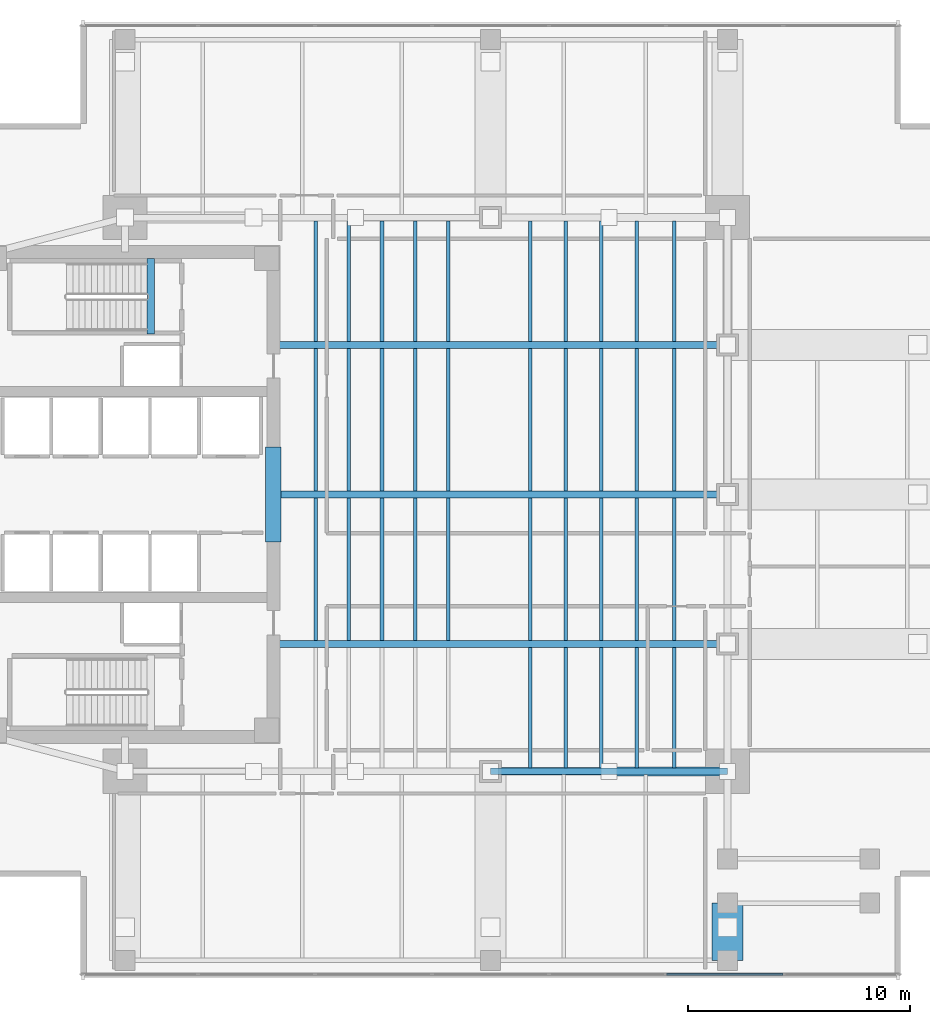
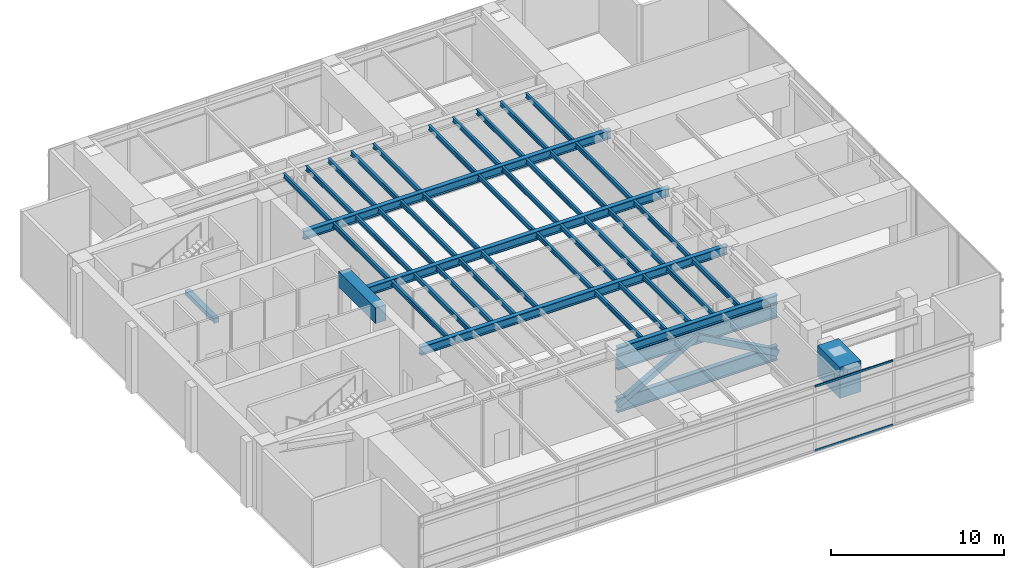
# One storey, part 3 of 14: 42 beams, 6 members, 1 element without a shape of its own.
"""IFC4 building model written with IfcOpenShell, lengths in metres."""

from ifc_helpers import new_model, si_unit, direction, frame, origin, origin_2d, place, context, subcontext, project, spatial, rectangle, hollow_rectangle, i_section, extrude, material, layer, layer_set, material_profile, profile_set, type_object, element, aggregate, save


model = new_model("IFC4")

# Units and contexts
model_context = context("Model", 3, precision=1e-05, world=origin(), true_north=direction((0.0, 1.0)))
body_context = subcontext(model_context, "Body", "Model", "MODEL_VIEW")
ifc_project = project(units=[si_unit("LENGTHUNIT", "METRE"), si_unit("AREAUNIT", "SQUARE_METRE"), si_unit("VOLUMEUNIT", "CUBIC_METRE"), si_unit("PLANEANGLEUNIT", "RADIAN"), si_unit("MASSUNIT", "GRAM", prefix="KILO")], contexts=[model_context])

# Site, building, storey
site_placement = place(None, origin())
site = spatial("IfcSite", under=ifc_project, at=site_placement, CompositionType="ELEMENT")
building_placement = place(site_placement, origin())
building = spatial("IfcBuilding", under=site, at=building_placement, Name="Kinhvarn Gate Tower", CompositionType="ELEMENT")
storey_placement = place(building_placement, frame((0.0, 0.0, 173.25)))
storey = spatial("IfcBuildingStorey", under=building, at=storey_placement, Name="L46", CompositionType="ELEMENT", Elevation=173.25)

# Beams
ifc_material_1 = material(Name="Concrete C70/85", Category="concrete")
ifc_material_profile_1 = material_profile(ifc_material_1, rectangle(XDim=0.699951171875, YDim=1.10009765625, at=origin_2d()), Name="RC 700x1100")
ifc_profile_set_1 = profile_set([ifc_material_profile_1], Name="Concrete C70/85")
beam_type_1 = type_object("IfcBeamType", Name="BM-CB-1100", PredefinedType="LINTEL", material=ifc_profile_set_1)
beam_1_placement = place(storey_placement, frame((17.699951171875, 23.10009765625, 4.050048828125), z_axis=(0.0, 1.0, 0.0), x_axis=(-1.0, 0.0, 0.0)))
element("IfcBeam", 1, at=beam_1_placement, inside=storey, type_object=beam_type_1, Name="Core East Portal Coupling Beam L46", PredefinedType="LINTEL", context=body_context, shape_type="SweptSolid", body=[
    extrude(rectangle(XDim=0.699951171875, YDim=1.10009765625, at=origin_2d()), origin(), (0.0, 0.0, 1.0), 4.2998046875),
])
ifc_material_2 = material(Name="Concrete C50/60", Category="concrete")
ifc_material_profile_2 = material_profile(ifc_material_2, rectangle(XDim=0.340087890625, YDim=0.320068359375, at=origin_2d()), Name="RC 340x320")
ifc_profile_set_2 = profile_set([ifc_material_profile_2], Name="Concrete C50/60")
beam_type_2 = type_object("IfcBeamType", Name="BM-LND-500", PredefinedType="BEAM", material=ifc_profile_set_2)
beam_2_placement = place(storey_placement, frame((12.1650390625, 32.5, -0.159912109375), z_axis=(0.0, 1.0, 0.0), x_axis=(-1.0, 0.0, 0.0)))
element("IfcBeam", 2, at=beam_2_placement, inside=storey, type_object=beam_type_2, Name="Stair ST2 Landing Nosing Beam (L46)", PredefinedType="BEAM", context=body_context, shape_type="SweptSolid", body=[
    extrude(rectangle(XDim=0.340087890625, YDim=0.320068359375, at=origin_2d()), origin(), (0.0, 0.0, 1.0), 3.39990234375),
])
ifc_material_3 = material(Name="Concrete C60/75", Category="concrete")
ifc_material_profile_3 = material_profile(ifc_material_3, rectangle(XDim=1.39990234375, YDim=2.199951171875, at=origin_2d()), Name="RC 1400x2200")
ifc_profile_set_3 = profile_set([ifc_material_profile_3], Name="Concrete C60/75")
beam_type_3 = type_object("IfcBeamType", Name="BM-TG-2200", PredefinedType="BEAM", material=ifc_profile_set_3)
beam_3_placement = place(storey_placement, frame((38.199951171875, 4.219970703125, 3.699951171875), z_axis=(0.0, 1.0, 0.0), x_axis=(-1.0, 0.0, 0.0)))
element("IfcBeam", 3, at=beam_3_placement, inside=storey, type_object=beam_type_3, Name="Setback Transfer Girder TG-02-L47-CS-2", PredefinedType="BEAM", context=body_context, shape_type="SweptSolid", body=[
    extrude(rectangle(XDim=1.39990234375, YDim=2.199951171875, at=origin_2d()), origin(), (0.0, 0.0, 1.0), 2.580078125),
])

# Curtain wall, members
ifc_material_4 = material(Name="Anodised aluminium AW-6063", Category="aluminium")
ifc_layer = layer(ifc_material_4, 0.179931640625)
ifc_layer_set = layer_set([ifc_layer], Name="Anodised aluminium AW-6063")
curtain_wall_type = type_object("IfcCurtainWallType", Name="CW-SYS-3", PredefinedType="NOTDEFINED", material=ifc_layer_set)
curtain_wall_placement = place(storey_placement, origin())
curtain_wall = element("IfcCurtainWall", 4, at=curtain_wall_placement, inside=storey, type_object=curtain_wall_type, Name="Curtain Wall CW3 (L46)", PredefinedType="NOTDEFINED")
ifc_material_profile_4 = material_profile(ifc_material_4, rectangle(XDim=0.070068359375, YDim=0.139892578125, at=origin_2d()), Name="ALU 70x140")
ifc_profile_set_4 = profile_set([ifc_material_profile_4], Name="Anodised aluminium AW-6063")
member_type_1 = type_object("IfcMemberType", Name="CW-TRN-140", PredefinedType="USERDEFINED", material=ifc_profile_set_4)
member_1_placement = place(storey_placement, frame((35.461181640625, 3.590087890625, 0.034912109375), z_axis=(1.0, 0.0, 0.0), x_axis=(0.0, 1.0, 0.0)))
member_1 = element("IfcMember", 5, at=member_1_placement, type_object=member_type_1, Name="CW3 transom 6.1", ObjectType="TRANSOM", PredefinedType="USERDEFINED", context=body_context, shape_type="SweptSolid", body=[
    extrude(rectangle(XDim=0.070068359375, YDim=0.139892578125, at=origin_2d()), origin(), (0.0, 0.0, 1.0), 5.220703125),
])
member_2_placement = place(storey_placement, frame((35.461181640625, 3.590087890625, 4.56494140625), z_axis=(1.0, 0.0, 0.0), x_axis=(0.0, 1.0, 0.0)))
member_2 = element("IfcMember", 6, at=member_2_placement, type_object=member_type_1, Name="CW3 transom 6.2", ObjectType="TRANSOM", PredefinedType="USERDEFINED", context=body_context, shape_type="SweptSolid", body=[
    extrude(rectangle(XDim=0.070068359375, YDim=0.139892578125, at=origin_2d()), origin(), (0.0, 0.0, 1.0), 5.220703125),
])
aggregate(curtain_wall, [member_1, member_2])

# Members
ifc_material_5 = material(Name="Steel S355", Category="steel")
ifc_material_profile_5 = material_profile(ifc_material_5, hollow_rectangle(XDim=0.35009765625, YDim=0.35009765625, WallThickness=0.01611328125, at=origin_2d()), Name="SHS 350x350x16")
ifc_profile_set_5 = profile_set([ifc_material_profile_5], Name="Steel S355")
member_type_2 = type_object("IfcMemberType", Name="MBR-SHS350x350x16", PredefinedType="BRACE", material=ifc_profile_set_5)
member_3_placement = place(storey_placement, frame((27.5, 12.75, 0.5), z_axis=(0.872231672877, 0.0, 0.489092944981), x_axis=(0.0, 1.0, 0.0)))
element("IfcMember", 7, at=member_3_placement, inside=storey, type_object=member_type_2, Name="Outrigger Truss Diagonal BR-08 (SHS 350x350x16)", PredefinedType="BRACE", context=body_context, shape_type="SweptSolid", body=[
    extrude(hollow_rectangle(XDim=0.35009765625, YDim=0.35009765625, WallThickness=0.01611328125, at=origin_2d()), origin(), (0.0, 0.0, 1.0), 6.1337890625),
])
ifc_material_profile_6 = material_profile(ifc_material_5, hollow_rectangle(XDim=0.39990234375, YDim=0.39990234375, WallThickness=0.02001953125, at=origin_2d()), Name="SHS 400x400x20")
ifc_profile_set_6 = profile_set([ifc_material_profile_6], Name="Steel S355")
member_type_3 = type_object("IfcMemberType", Name="MBR-SHS400x400x20", PredefinedType="BRACE", material=ifc_profile_set_6)
member_4_placement = place(storey_placement, frame((32.85009765625, 12.75, 3.5), z_axis=(0.872222151153, 0.0, -0.489109925312), x_axis=(0.0, 1.0, 0.0)))
element("IfcMember", 8, at=member_4_placement, inside=storey, type_object=member_type_3, Name="Outrigger Truss Diagonal BR-09 (SHS 400x400x20)", PredefinedType="BRACE", context=body_context, shape_type="SweptSolid", body=[
    extrude(hollow_rectangle(XDim=0.39990234375, YDim=0.39990234375, WallThickness=0.02001953125, at=origin_2d()), origin(), (0.0, 0.0, 1.0), 6.133544921875),
])
ifc_material_profile_7 = material_profile(ifc_material_5, i_section(OverallWidth=0.300048828125, OverallDepth=1.0, WebThickness=0.01904296875, FlangeThickness=0.035888671875, at=origin_2d()), Name="HEB 1000")
ifc_profile_set_7 = profile_set([ifc_material_profile_7], Name="Steel S355")
member_type_4 = type_object("IfcMemberType", Name="STL-HEB1000", PredefinedType="CHORD", material=ifc_profile_set_7)
for number, where, z_axis, x_axis, name in (
    (9, (27.5, 12.75, 0.5), (1.0, 0.0, 0.0), (0.0, 1.0, 0.0), "Outrigger Belt Chord BC-21 (L46 OUT-S2-BOT)"),
    (10, (27.5, 12.75, 3.5), (1.0, 0.0, 0.0), (0.0, 1.0, 0.0), "Outrigger Belt Chord BC-21 (L46 OUT-S2-TOP)"),
):
    element("IfcMember", number, at=place(storey_placement, frame(where, z_axis=z_axis, x_axis=x_axis)), inside=storey, type_object=member_type_4, Name=name, PredefinedType="CHORD", context=body_context, shape_type="SweptSolid", body=[
        extrude(i_section(OverallWidth=0.300048828125, OverallDepth=1.0, WebThickness=0.01904296875, FlangeThickness=0.035888671875, at=origin_2d()), origin(), (0.0, 0.0, 1.0), 10.699951171875),
    ])

# Beams
ifc_material_profile_8 = material_profile(ifc_material_5, i_section(OverallWidth=0.300048828125, OverallDepth=0.60009765625, WebThickness=0.015380859375, FlangeThickness=0.030029296875, at=origin_2d()), Name="HEB 600")
ifc_profile_set_8 = profile_set([ifc_material_profile_8], Name="Steel S355")
beam_type_4 = type_object("IfcBeamType", Name="STL-HEB600", PredefinedType="BEAM", material=ifc_profile_set_8)
beam_4_placement = place(storey_placement, frame((27.5, 12.75, 4.300048828125), z_axis=(1.0, 0.0, 0.0), x_axis=(0.0, 1.0, 0.0)))
element("IfcBeam", 11, at=beam_4_placement, inside=storey, type_object=beam_type_4, Name="Floor Beam PG-16 (L46 MG-S2)", PredefinedType="BEAM", context=body_context, shape_type="SweptSolid", body=[
    extrude(i_section(OverallWidth=0.300048828125, OverallDepth=0.60009765625, WebThickness=0.015380859375, FlangeThickness=0.030029296875, at=origin_2d()), origin(), (0.0, 0.0, 1.0), 10.699951171875),
])
beam_5_placement = place(storey_placement, frame((17.64990234375, 18.5, 4.300048828125), z_axis=(1.0, 0.0, 0.0), x_axis=(0.0, 1.0, 0.0)))
element("IfcBeam", 12, at=beam_5_placement, inside=storey, type_object=beam_type_4, Name="Floor Beam PG-16 (L46 EW1-Y18)", PredefinedType="BEAM", context=body_context, shape_type="SweptSolid", body=[
    extrude(i_section(OverallWidth=0.300048828125, OverallDepth=0.60009765625, WebThickness=0.015380859375, FlangeThickness=0.030029296875, at=origin_2d()), origin(), (0.0, 0.0, 1.0), 20.550048828125),
])
beam_6_placement = place(storey_placement, frame((18.050048828125, 25.25, 4.300048828125), z_axis=(1.0, 0.0, 0.0), x_axis=(0.0, 1.0, 0.0)))
element("IfcBeam", 13, at=beam_6_placement, inside=storey, type_object=beam_type_4, Name="Floor Beam PG-16 (L46 EW1-Y25)", PredefinedType="BEAM", context=body_context, shape_type="SweptSolid", body=[
    extrude(i_section(OverallWidth=0.300048828125, OverallDepth=0.60009765625, WebThickness=0.015380859375, FlangeThickness=0.030029296875, at=origin_2d()), origin(), (0.0, 0.0, 1.0), 20.14990234375),
])
beam_7_placement = place(storey_placement, frame((17.64990234375, 32.0, 4.300048828125), z_axis=(1.0, 0.0, 0.0), x_axis=(0.0, 1.0, 0.0)))
element("IfcBeam", 14, at=beam_7_placement, inside=storey, type_object=beam_type_4, Name="Floor Beam PG-16 (L46 EW1-Y32)", PredefinedType="BEAM", context=body_context, shape_type="SweptSolid", body=[
    extrude(i_section(OverallWidth=0.300048828125, OverallDepth=0.60009765625, WebThickness=0.015380859375, FlangeThickness=0.030029296875, at=origin_2d()), origin(), (0.0, 0.0, 1.0), 20.550048828125),
])
ifc_material_profile_9 = material_profile(ifc_material_5, i_section(OverallWidth=0.159912109375, OverallDepth=0.330078125, WebThickness=0.007568359375, FlangeThickness=0.011474609375, at=origin_2d()), Name="IPE 330")
ifc_profile_set_9 = profile_set([ifc_material_profile_9], Name="Steel S355")
beam_type_5 = type_object("IfcBeamType", Name="STL-IPE330", PredefinedType="JOIST", material=ifc_profile_set_9)
for number, where, z_axis, x_axis, name in (
    (15, (19.60009765625, 18.64990234375, 4.43505859375), (0.0, 1.0, 0.0), (-1.0, 0.0, 0.0), "Floor Joist SB-03 (L46 JC-X196-1)"),
    (16, (19.60009765625, 25.39990234375, 4.43505859375), (0.0, 1.0, 0.0), (-1.0, 0.0, 0.0), "Floor Joist SB-03 (L46 JC-X196-2)"),
):
    element("IfcBeam", number, at=place(storey_placement, frame(where, z_axis=z_axis, x_axis=x_axis)), inside=storey, type_object=beam_type_5, Name=name, PredefinedType="JOIST", context=body_context, shape_type="SweptSolid", body=[
        extrude(i_section(OverallWidth=0.159912109375, OverallDepth=0.330078125, WebThickness=0.007568359375, FlangeThickness=0.011474609375, at=origin_2d()), origin(), (0.0, 0.0, 1.0), 6.4501953125),
    ])
beam_8_placement = place(storey_placement, frame((19.60009765625, 32.14990234375, 4.43505859375), z_axis=(0.0, 1.0, 0.0), x_axis=(-1.0, 0.0, 0.0)))
element("IfcBeam", 17, at=beam_8_placement, inside=storey, type_object=beam_type_5, Name="Floor Joist SB-03 (L46 JC-X196-3)", PredefinedType="JOIST", context=body_context, shape_type="SweptSolid", body=[
    extrude(i_section(OverallWidth=0.159912109375, OverallDepth=0.330078125, WebThickness=0.007568359375, FlangeThickness=0.011474609375, at=origin_2d()), origin(), (0.0, 0.0, 1.0), 5.4501953125),
])
for number, where, z_axis, x_axis, name in (
    (18, (21.10009765625, 18.64990234375, 4.43505859375), (0.0, 1.0, 0.0), (-1.0, 0.0, 0.0), "Floor Joist SB-03 (L46 JC-X211-1)"),
    (19, (21.10009765625, 25.39990234375, 4.43505859375), (0.0, 1.0, 0.0), (-1.0, 0.0, 0.0), "Floor Joist SB-03 (L46 JC-X211-2)"),
):
    element("IfcBeam", number, at=place(storey_placement, frame(where, z_axis=z_axis, x_axis=x_axis)), inside=storey, type_object=beam_type_5, Name=name, PredefinedType="JOIST", context=body_context, shape_type="SweptSolid", body=[
        extrude(i_section(OverallWidth=0.159912109375, OverallDepth=0.330078125, WebThickness=0.007568359375, FlangeThickness=0.011474609375, at=origin_2d()), origin(), (0.0, 0.0, 1.0), 6.4501953125),
    ])
beam_9_placement = place(storey_placement, frame((21.10009765625, 32.14990234375, 4.43505859375), z_axis=(0.0, 1.0, 0.0), x_axis=(-1.0, 0.0, 0.0)))
element("IfcBeam", 20, at=beam_9_placement, inside=storey, type_object=beam_type_5, Name="Floor Joist SB-03 (L46 JC-X211-3)", PredefinedType="JOIST", context=body_context, shape_type="SweptSolid", body=[
    extrude(i_section(OverallWidth=0.159912109375, OverallDepth=0.330078125, WebThickness=0.007568359375, FlangeThickness=0.011474609375, at=origin_2d()), origin(), (0.0, 0.0, 1.0), 5.4501953125),
])
for number, where, z_axis, x_axis, name in (
    (21, (22.60009765625, 18.64990234375, 4.43505859375), (0.0, 1.0, 0.0), (-1.0, 0.0, 0.0), "Floor Joist SB-03 (L46 JC-X226-1)"),
    (22, (22.60009765625, 25.39990234375, 4.43505859375), (0.0, 1.0, 0.0), (-1.0, 0.0, 0.0), "Floor Joist SB-03 (L46 JC-X226-2)"),
):
    element("IfcBeam", number, at=place(storey_placement, frame(where, z_axis=z_axis, x_axis=x_axis)), inside=storey, type_object=beam_type_5, Name=name, PredefinedType="JOIST", context=body_context, shape_type="SweptSolid", body=[
        extrude(i_section(OverallWidth=0.159912109375, OverallDepth=0.330078125, WebThickness=0.007568359375, FlangeThickness=0.011474609375, at=origin_2d()), origin(), (0.0, 0.0, 1.0), 6.4501953125),
    ])
beam_10_placement = place(storey_placement, frame((22.60009765625, 32.14990234375, 4.43505859375), z_axis=(0.0, 1.0, 0.0), x_axis=(-1.0, 0.0, 0.0)))
element("IfcBeam", 23, at=beam_10_placement, inside=storey, type_object=beam_type_5, Name="Floor Joist SB-03 (L46 JC-X226-3)", PredefinedType="JOIST", context=body_context, shape_type="SweptSolid", body=[
    extrude(i_section(OverallWidth=0.159912109375, OverallDepth=0.330078125, WebThickness=0.007568359375, FlangeThickness=0.011474609375, at=origin_2d()), origin(), (0.0, 0.0, 1.0), 5.4501953125),
])
for number, where, z_axis, x_axis, name in (
    (24, (24.10009765625, 18.64990234375, 4.43505859375), (0.0, 1.0, 0.0), (-1.0, 0.0, 0.0), "Floor Joist SB-03 (L46 JC-X241-1)"),
    (25, (24.10009765625, 25.39990234375, 4.43505859375), (0.0, 1.0, 0.0), (-1.0, 0.0, 0.0), "Floor Joist SB-03 (L46 JC-X241-2)"),
):
    element("IfcBeam", number, at=place(storey_placement, frame(where, z_axis=z_axis, x_axis=x_axis)), inside=storey, type_object=beam_type_5, Name=name, PredefinedType="JOIST", context=body_context, shape_type="SweptSolid", body=[
        extrude(i_section(OverallWidth=0.159912109375, OverallDepth=0.330078125, WebThickness=0.007568359375, FlangeThickness=0.011474609375, at=origin_2d()), origin(), (0.0, 0.0, 1.0), 6.4501953125),
    ])
beam_11_placement = place(storey_placement, frame((24.10009765625, 32.14990234375, 4.43505859375), z_axis=(0.0, 1.0, 0.0), x_axis=(-1.0, 0.0, 0.0)))
element("IfcBeam", 26, at=beam_11_placement, inside=storey, type_object=beam_type_5, Name="Floor Joist SB-03 (L46 JC-X241-3)", PredefinedType="JOIST", context=body_context, shape_type="SweptSolid", body=[
    extrude(i_section(OverallWidth=0.159912109375, OverallDepth=0.330078125, WebThickness=0.007568359375, FlangeThickness=0.011474609375, at=origin_2d()), origin(), (0.0, 0.0, 1.0), 5.4501953125),
])
for number, where, z_axis, x_axis, name in (
    (27, (25.60009765625, 18.64990234375, 4.43505859375), (0.0, 1.0, 0.0), (-1.0, 0.0, 0.0), "Floor Joist SB-03 (L46 JC-X256-1)"),
    (28, (25.60009765625, 25.39990234375, 4.43505859375), (0.0, 1.0, 0.0), (-1.0, 0.0, 0.0), "Floor Joist SB-03 (L46 JC-X256-2)"),
):
    element("IfcBeam", number, at=place(storey_placement, frame(where, z_axis=z_axis, x_axis=x_axis)), inside=storey, type_object=beam_type_5, Name=name, PredefinedType="JOIST", context=body_context, shape_type="SweptSolid", body=[
        extrude(i_section(OverallWidth=0.159912109375, OverallDepth=0.330078125, WebThickness=0.007568359375, FlangeThickness=0.011474609375, at=origin_2d()), origin(), (0.0, 0.0, 1.0), 6.4501953125),
    ])
for number, where, z_axis, x_axis, name in (
    (29, (25.60009765625, 32.14990234375, 4.43505859375), (0.0, 1.0, 0.0), (-1.0, 0.0, 0.0), "Floor Joist SB-03 (L46 JC-X256-3)"),
    (30, (29.300048828125, 12.89990234375, 4.43505859375), (0.0, 1.0, 0.0), (-1.0, 0.0, 0.0), "Floor Joist SB-03 (L46 JC-X293-0)"),
):
    element("IfcBeam", number, at=place(storey_placement, frame(where, z_axis=z_axis, x_axis=x_axis)), inside=storey, type_object=beam_type_5, Name=name, PredefinedType="JOIST", context=body_context, shape_type="SweptSolid", body=[
        extrude(i_section(OverallWidth=0.159912109375, OverallDepth=0.330078125, WebThickness=0.007568359375, FlangeThickness=0.011474609375, at=origin_2d()), origin(), (0.0, 0.0, 1.0), 5.4501953125),
    ])
for number, where, z_axis, x_axis, name in (
    (31, (29.300048828125, 18.64990234375, 4.43505859375), (0.0, 1.0, 0.0), (-1.0, 0.0, 0.0), "Floor Joist SB-03 (L46 JC-X293-1)"),
    (32, (29.300048828125, 25.39990234375, 4.43505859375), (0.0, 1.0, 0.0), (-1.0, 0.0, 0.0), "Floor Joist SB-03 (L46 JC-X293-2)"),
):
    element("IfcBeam", number, at=place(storey_placement, frame(where, z_axis=z_axis, x_axis=x_axis)), inside=storey, type_object=beam_type_5, Name=name, PredefinedType="JOIST", context=body_context, shape_type="SweptSolid", body=[
        extrude(i_section(OverallWidth=0.159912109375, OverallDepth=0.330078125, WebThickness=0.007568359375, FlangeThickness=0.011474609375, at=origin_2d()), origin(), (0.0, 0.0, 1.0), 6.4501953125),
    ])
for number, where, z_axis, x_axis, name in (
    (33, (29.300048828125, 32.14990234375, 4.43505859375), (0.0, 1.0, 0.0), (-1.0, 0.0, 0.0), "Floor Joist SB-03 (L46 JC-X293-3)"),
    (34, (30.89990234375, 12.89990234375, 4.43505859375), (0.0, 1.0, 0.0), (-1.0, 0.0, 0.0), "Floor Joist SB-03 (L46 JC-X309-0)"),
):
    element("IfcBeam", number, at=place(storey_placement, frame(where, z_axis=z_axis, x_axis=x_axis)), inside=storey, type_object=beam_type_5, Name=name, PredefinedType="JOIST", context=body_context, shape_type="SweptSolid", body=[
        extrude(i_section(OverallWidth=0.159912109375, OverallDepth=0.330078125, WebThickness=0.007568359375, FlangeThickness=0.011474609375, at=origin_2d()), origin(), (0.0, 0.0, 1.0), 5.4501953125),
    ])
for number, where, z_axis, x_axis, name in (
    (35, (30.89990234375, 18.64990234375, 4.43505859375), (0.0, 1.0, 0.0), (-1.0, 0.0, 0.0), "Floor Joist SB-03 (L46 JC-X309-1)"),
    (36, (30.89990234375, 25.39990234375, 4.43505859375), (0.0, 1.0, 0.0), (-1.0, 0.0, 0.0), "Floor Joist SB-03 (L46 JC-X309-2)"),
):
    element("IfcBeam", number, at=place(storey_placement, frame(where, z_axis=z_axis, x_axis=x_axis)), inside=storey, type_object=beam_type_5, Name=name, PredefinedType="JOIST", context=body_context, shape_type="SweptSolid", body=[
        extrude(i_section(OverallWidth=0.159912109375, OverallDepth=0.330078125, WebThickness=0.007568359375, FlangeThickness=0.011474609375, at=origin_2d()), origin(), (0.0, 0.0, 1.0), 6.4501953125),
    ])
for number, where, z_axis, x_axis, name in (
    (37, (30.89990234375, 32.14990234375, 4.43505859375), (0.0, 1.0, 0.0), (-1.0, 0.0, 0.0), "Floor Joist SB-03 (L46 JC-X309-3)"),
    (38, (32.5, 12.89990234375, 4.43505859375), (0.0, 1.0, 0.0), (-1.0, 0.0, 0.0), "Floor Joist SB-03 (L46 JC-X325-0)"),
):
    element("IfcBeam", number, at=place(storey_placement, frame(where, z_axis=z_axis, x_axis=x_axis)), inside=storey, type_object=beam_type_5, Name=name, PredefinedType="JOIST", context=body_context, shape_type="SweptSolid", body=[
        extrude(i_section(OverallWidth=0.159912109375, OverallDepth=0.330078125, WebThickness=0.007568359375, FlangeThickness=0.011474609375, at=origin_2d()), origin(), (0.0, 0.0, 1.0), 5.4501953125),
    ])
for number, where, z_axis, x_axis, name in (
    (39, (32.5, 18.64990234375, 4.43505859375), (0.0, 1.0, 0.0), (-1.0, 0.0, 0.0), "Floor Joist SB-03 (L46 JC-X325-1)"),
    (40, (32.5, 25.39990234375, 4.43505859375), (0.0, 1.0, 0.0), (-1.0, 0.0, 0.0), "Floor Joist SB-03 (L46 JC-X325-2)"),
):
    element("IfcBeam", number, at=place(storey_placement, frame(where, z_axis=z_axis, x_axis=x_axis)), inside=storey, type_object=beam_type_5, Name=name, PredefinedType="JOIST", context=body_context, shape_type="SweptSolid", body=[
        extrude(i_section(OverallWidth=0.159912109375, OverallDepth=0.330078125, WebThickness=0.007568359375, FlangeThickness=0.011474609375, at=origin_2d()), origin(), (0.0, 0.0, 1.0), 6.4501953125),
    ])
for number, where, z_axis, x_axis, name in (
    (41, (32.5, 32.14990234375, 4.43505859375), (0.0, 1.0, 0.0), (-1.0, 0.0, 0.0), "Floor Joist SB-03 (L46 JC-X325-3)"),
    (42, (34.10009765625, 12.89990234375, 4.43505859375), (0.0, 1.0, 0.0), (-1.0, 0.0, 0.0), "Floor Joist SB-03 (L46 JC-X341-0)"),
):
    element("IfcBeam", number, at=place(storey_placement, frame(where, z_axis=z_axis, x_axis=x_axis)), inside=storey, type_object=beam_type_5, Name=name, PredefinedType="JOIST", context=body_context, shape_type="SweptSolid", body=[
        extrude(i_section(OverallWidth=0.159912109375, OverallDepth=0.330078125, WebThickness=0.007568359375, FlangeThickness=0.011474609375, at=origin_2d()), origin(), (0.0, 0.0, 1.0), 5.4501953125),
    ])
for number, where, z_axis, x_axis, name in (
    (43, (34.10009765625, 18.64990234375, 4.43505859375), (0.0, 1.0, 0.0), (-1.0, 0.0, 0.0), "Floor Joist SB-03 (L46 JC-X341-1)"),
    (44, (34.10009765625, 25.39990234375, 4.43505859375), (0.0, 1.0, 0.0), (-1.0, 0.0, 0.0), "Floor Joist SB-03 (L46 JC-X341-2)"),
):
    element("IfcBeam", number, at=place(storey_placement, frame(where, z_axis=z_axis, x_axis=x_axis)), inside=storey, type_object=beam_type_5, Name=name, PredefinedType="JOIST", context=body_context, shape_type="SweptSolid", body=[
        extrude(i_section(OverallWidth=0.159912109375, OverallDepth=0.330078125, WebThickness=0.007568359375, FlangeThickness=0.011474609375, at=origin_2d()), origin(), (0.0, 0.0, 1.0), 6.4501953125),
    ])
for number, where, z_axis, x_axis, name in (
    (45, (34.10009765625, 32.14990234375, 4.43505859375), (0.0, 1.0, 0.0), (-1.0, 0.0, 0.0), "Floor Joist SB-03 (L46 JC-X341-3)"),
    (46, (35.800048828125, 12.89990234375, 4.43505859375), (0.0, 1.0, 0.0), (-1.0, 0.0, 0.0), "Floor Joist SB-03 (L46 JC-X358-0)"),
):
    element("IfcBeam", number, at=place(storey_placement, frame(where, z_axis=z_axis, x_axis=x_axis)), inside=storey, type_object=beam_type_5, Name=name, PredefinedType="JOIST", context=body_context, shape_type="SweptSolid", body=[
        extrude(i_section(OverallWidth=0.159912109375, OverallDepth=0.330078125, WebThickness=0.007568359375, FlangeThickness=0.011474609375, at=origin_2d()), origin(), (0.0, 0.0, 1.0), 5.4501953125),
    ])
for number, where, z_axis, x_axis, name in (
    (47, (35.800048828125, 18.64990234375, 4.43505859375), (0.0, 1.0, 0.0), (-1.0, 0.0, 0.0), "Floor Joist SB-03 (L46 JC-X358-1)"),
    (48, (35.800048828125, 25.39990234375, 4.43505859375), (0.0, 1.0, 0.0), (-1.0, 0.0, 0.0), "Floor Joist SB-03 (L46 JC-X358-2)"),
):
    element("IfcBeam", number, at=place(storey_placement, frame(where, z_axis=z_axis, x_axis=x_axis)), inside=storey, type_object=beam_type_5, Name=name, PredefinedType="JOIST", context=body_context, shape_type="SweptSolid", body=[
        extrude(i_section(OverallWidth=0.159912109375, OverallDepth=0.330078125, WebThickness=0.007568359375, FlangeThickness=0.011474609375, at=origin_2d()), origin(), (0.0, 0.0, 1.0), 6.4501953125),
    ])
beam_12_placement = place(storey_placement, frame((35.800048828125, 32.14990234375, 4.43505859375), z_axis=(0.0, 1.0, 0.0), x_axis=(-1.0, 0.0, 0.0)))
element("IfcBeam", 49, at=beam_12_placement, inside=storey, type_object=beam_type_5, Name="Floor Joist SB-03 (L46 JC-X358-3)", PredefinedType="JOIST", context=body_context, shape_type="SweptSolid", body=[
    extrude(i_section(OverallWidth=0.159912109375, OverallDepth=0.330078125, WebThickness=0.007568359375, FlangeThickness=0.011474609375, at=origin_2d()), origin(), (0.0, 0.0, 1.0), 5.4501953125),
])

save(model, "model.ifc")
